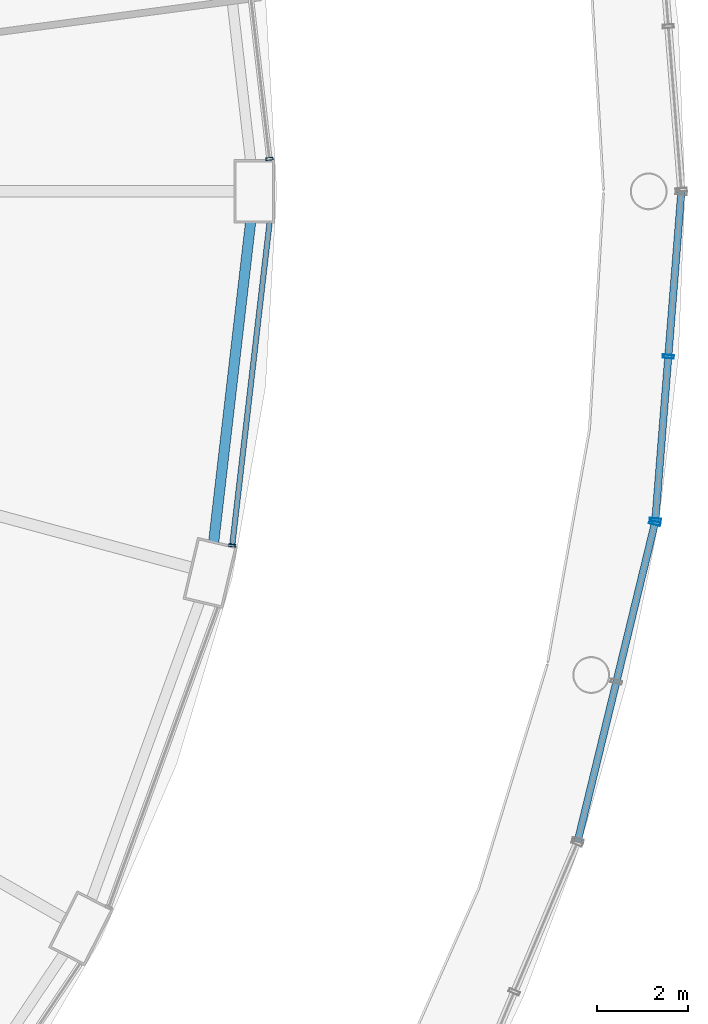
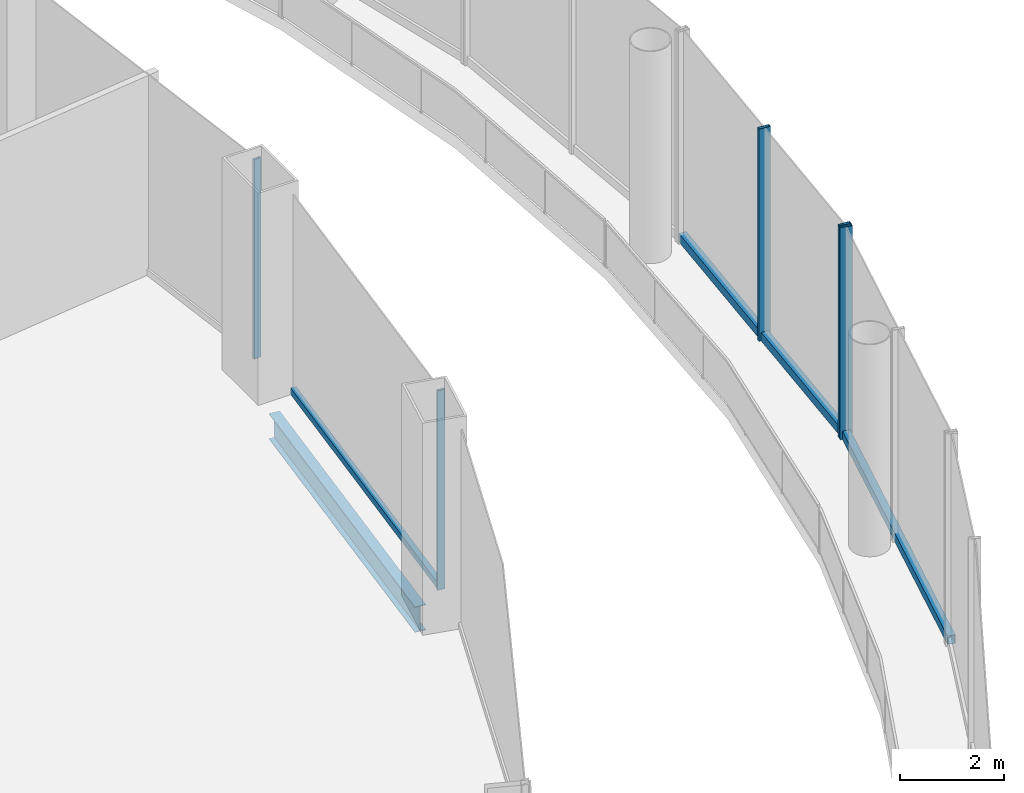
# One storey, part 25 of 47: 8 members, 1 beam, 4 elements without a shape of their own.
"""IFC4 building model written with IfcOpenShell, lengths in metres."""

from ifc_helpers import new_model, si_unit, direction, frame, origin, origin_2d, place, context, subcontext, project, spatial, hollow_rectangle, i_section, extrude, material, layer, layer_set, material_profile, profile_set, type_object, element, aggregate, save


model = new_model("IFC4")

# Units and contexts
model_context = context("Model", 3, precision=1e-05, world=origin(), true_north=direction((0.0, 1.0)))
body_context = subcontext(model_context, "Body", "Model", "MODEL_VIEW")
ifc_project = project(units=[si_unit("LENGTHUNIT", "METRE"), si_unit("AREAUNIT", "SQUARE_METRE"), si_unit("VOLUMEUNIT", "CUBIC_METRE"), si_unit("PLANEANGLEUNIT", "RADIAN"), si_unit("MASSUNIT", "GRAM", prefix="KILO")], contexts=[model_context])

# Site, building, storey
site_placement = place(None, origin())
site = spatial("IfcSite", under=ifc_project, at=site_placement, CompositionType="ELEMENT")
building_placement = place(site_placement, origin())
building = spatial("IfcBuilding", under=site, at=building_placement, Name="Nagisa Residences", CompositionType="ELEMENT")
storey_placement = place(building_placement, frame((0.0, 0.0, 7.0)))
storey = spatial("IfcBuildingStorey", under=building, at=storey_placement, Name="L01", CompositionType="ELEMENT", Elevation=7.0)

# Curtain wall, member
ifc_material_1 = material(Name="Stainless steel curtain wall system", Category="steel")
ifc_layer_1 = layer(ifc_material_1, 0.159912109375)
ifc_layer_set_1 = layer_set([ifc_layer_1], Name="CW3 CURTAIN WALL")
curtain_wall_type_1 = type_object("IfcCurtainWallType", Name="CW3 CURTAIN WALL", PredefinedType="NOTDEFINED", material=ifc_layer_set_1)
curtain_wall_1_placement = place(storey_placement, origin())
curtain_wall_1 = element("IfcCurtainWall", 1, at=curtain_wall_1_placement, inside=storey, type_object=curtain_wall_type_1, Name="cw:CW3:L01:34", PredefinedType="NOTDEFINED")
ifc_material_2 = material(Name="Stainless steel", Category="steel")
ifc_material_profile_1 = material_profile(ifc_material_2, hollow_rectangle(XDim=0.25, YDim=0.080078125, WallThickness=0.008056640625, at=origin_2d()), Name="CW3 MULLION 250x80")
ifc_profile_set_1 = profile_set([ifc_material_profile_1], Name="Stainless steel")
member_type_1 = type_object("IfcMemberType", Name="CW3 MULLION 250x80", PredefinedType="MULLION", material=ifc_profile_set_1)
member_1_placement = place(storey_placement, frame((40.935546875, -7.313232421875, 0.0), z_axis=(0.0, 0.0, 1.0), x_axis=(-0.971848775146, 0.235605514043, 0.0)))
member_1 = element("IfcMember", 2, at=member_1_placement, type_object=member_type_1, Name="CW3 mullion", PredefinedType="MULLION", context=body_context, shape_type="SweptSolid", body=[
    extrude(hollow_rectangle(XDim=0.25, YDim=0.080078125, WallThickness=0.008056640625, at=origin_2d()), origin(), (0.0, 0.0, 1.0), 5.0),
])

# Curtain wall, members
curtain_wall_2_placement = place(storey_placement, origin())
curtain_wall_2 = element("IfcCurtainWall", 3, at=curtain_wall_2_placement, inside=storey, type_object=curtain_wall_type_1, Name="cw:CW3:L01:35", PredefinedType="NOTDEFINED")
member_2_placement = place(storey_placement, frame((40.946044921875, -7.2470703125, 0.0), z_axis=(0.0, 0.0, 1.0), x_axis=(-0.996881777235, 0.078909582539, 0.0)))
member_2 = element("IfcMember", 4, at=member_2_placement, type_object=member_type_1, Name="CW3 mullion", PredefinedType="MULLION", context=body_context, shape_type="SweptSolid", body=[
    extrude(hollow_rectangle(XDim=0.25, YDim=0.080078125, WallThickness=0.008056640625, at=origin_2d()), origin(), (0.0, 0.0, 1.0), 5.0),
])
member_3_placement = place(storey_placement, frame((41.231689453125, -3.640380859375, 0.0), z_axis=(0.0, 0.0, 1.0), x_axis=(-0.996881777235, 0.078909582539, 0.0)))
member_3 = element("IfcMember", 5, at=member_3_placement, type_object=member_type_1, Name="CW3 mullion", PredefinedType="MULLION", context=body_context, shape_type="SweptSolid", body=[
    extrude(hollow_rectangle(XDim=0.25, YDim=0.080078125, WallThickness=0.008056640625, at=origin_2d()), origin(), (0.0, 0.0, 1.0), 5.0),
])

# Member
ifc_material_3 = material(Name="Stainless steel", Category="steel")
ifc_material_profile_2 = material_profile(ifc_material_3, hollow_rectangle(XDim=0.159912109375, YDim=0.199951171875, WallThickness=0.008056640625, at=origin_2d()), Name="CW3 TRANSOM 160x200")
ifc_profile_set_2 = profile_set([ifc_material_profile_2], Name="Stainless steel")
member_type_2 = type_object("IfcMemberType", Name="CW3 TRANSOM 160x200", PredefinedType="USERDEFINED", material=ifc_profile_set_2)
member_4_placement = place(storey_placement, frame((39.23046875, -14.345947265625, 0.10009765625), z_axis=(0.235637477095, 0.97184102578, 0.0), x_axis=(-0.97184102578, 0.235637477095, 0.0)))
member_4 = element("IfcMember", 6, at=member_4_placement, type_object=member_type_2, Name="CW3 transom", ObjectType="TRANSOM", PredefinedType="USERDEFINED", context=body_context, shape_type="SweptSolid", body=[
    extrude(hollow_rectangle(XDim=0.159912109375, YDim=0.199951171875, WallThickness=0.008056640625, at=origin_2d()), origin(), (0.0, 0.0, 1.0), 7.2763671875),
])

aggregate(curtain_wall_1, [member_1, member_4])

member_5_placement = place(storey_placement, frame((40.94287109375, -7.286865234375, 0.10009765625), z_axis=(0.078921540002, 0.996880830653, 0.0), x_axis=(-0.996880830653, 0.078921540002, 0.0)))
member_5 = element("IfcMember", 7, at=member_5_placement, type_object=member_type_2, Name="CW3 transom", ObjectType="TRANSOM", PredefinedType="USERDEFINED", context=body_context, shape_type="SweptSolid", body=[
    extrude(hollow_rectangle(XDim=0.159912109375, YDim=0.199951171875, WallThickness=0.008056640625, at=origin_2d()), origin(), (0.0, 0.0, 1.0), 7.31591796875),
])

aggregate(curtain_wall_2, [member_2, member_3, member_5])

# Curtain wall, member
ifc_material_4 = material(Name="Stainless steel curtain wall system", Category="steel")
ifc_layer_2 = layer(ifc_material_4, 0.159912109375)
ifc_layer_set_2 = layer_set([ifc_layer_2], Name="CW6 CURTAIN WALL")
curtain_wall_type_2 = type_object("IfcCurtainWallType", Name="CW6 CURTAIN WALL", PredefinedType="NOTDEFINED", material=ifc_layer_set_2)
curtain_wall_3_placement = place(storey_placement, origin())
curtain_wall_3 = element("IfcCurtainWall", 8, at=curtain_wall_3_placement, inside=storey, type_object=curtain_wall_type_2, Name="cw:CW6:L01:00", PredefinedType="NOTDEFINED")
ifc_material_5 = material(Name="Stainless steel", Category="steel")
ifc_material_profile_3 = material_profile(ifc_material_5, hollow_rectangle(XDim=0.159912109375, YDim=0.06005859375, WallThickness=0.006103515625, at=origin_2d()), Name="CW6 MULLION 160x60")
ifc_profile_set_3 = profile_set([ifc_material_profile_3], Name="Stainless steel")
member_type_3 = type_object("IfcMemberType", Name="CW6 MULLION 160x60", PredefinedType="MULLION", material=ifc_profile_set_3)
member_6_placement = place(storey_placement, frame((32.4365234375, 0.716064453125, 0.0), z_axis=(0.0, 0.0, 1.0), x_axis=(-0.993373823596, -0.114928006139, 0.0)))
member_6 = element("IfcMember", 9, at=member_6_placement, type_object=member_type_3, Name="CW6 mullion", PredefinedType="MULLION", context=body_context, shape_type="SweptSolid", body=[
    extrude(hollow_rectangle(XDim=0.159912109375, YDim=0.06005859375, WallThickness=0.006103515625, at=origin_2d()), origin(), (0.0, 0.0, 1.0), 4.699951171875),
])
aggregate(curtain_wall_3, [member_6])

# Curtain wall, members
curtain_wall_4_placement = place(storey_placement, origin())
curtain_wall_4 = element("IfcCurtainWall", 10, at=curtain_wall_4_placement, inside=storey, type_object=curtain_wall_type_2, Name="cw:CW6:L01:46", PredefinedType="NOTDEFINED")
member_7_placement = place(storey_placement, frame((31.6162109375, -7.806640625, 0.0), z_axis=(0.0, 0.0, 1.0), x_axis=(-0.993373823596, 0.114928006139, 0.0)))
member_7 = element("IfcMember", 11, at=member_7_placement, type_object=member_type_3, Name="CW6 mullion", PredefinedType="MULLION", context=body_context, shape_type="SweptSolid", body=[
    extrude(hollow_rectangle(XDim=0.159912109375, YDim=0.06005859375, WallThickness=0.006103515625, at=origin_2d()), origin(), (0.0, 0.0, 1.0), 4.699951171875),
])
ifc_material_6 = material(Name="Stainless steel", Category="steel")
ifc_material_profile_4 = material_profile(ifc_material_6, hollow_rectangle(XDim=0.1201171875, YDim=0.14990234375, WallThickness=0.008056640625, at=origin_2d()), Name="CW6 TRANSOM 120x150")
ifc_profile_set_4 = profile_set([ifc_material_profile_4], Name="Stainless steel")
member_type_4 = type_object("IfcMemberType", Name="CW6 TRANSOM 120x150", PredefinedType="USERDEFINED", material=ifc_profile_set_4)
member_8_placement = place(storey_placement, frame((31.61279296875, -7.83642578125, 0.074951171875), z_axis=(0.114949818518, 0.993371299778, 0.0), x_axis=(-0.993371299778, 0.114949818518, 0.0)))
member_8 = element("IfcMember", 12, at=member_8_placement, type_object=member_type_4, Name="CW6 transom", ObjectType="TRANSOM", PredefinedType="USERDEFINED", context=body_context, shape_type="SweptSolid", body=[
    extrude(hollow_rectangle(XDim=0.1201171875, YDim=0.14990234375, WallThickness=0.008056640625, at=origin_2d()), origin(), (0.0, 0.0, 1.0), 7.19775390625),
])
aggregate(curtain_wall_4, [member_7, member_8])

# Beam
ifc_material_7 = material(Name="Steel ASTM A572 Gr 50", Category="steel")
ifc_material_profile_5 = material_profile(ifc_material_7, i_section(OverallWidth=0.22802734375, OverallDepth=0.60302734375, WebThickness=0.010498046875, FlangeThickness=0.014892578125, at=origin_2d()), Name="W610x101")
ifc_profile_set_5 = profile_set([ifc_material_profile_5], Name="Steel ASTM A572 Gr 50")
beam_type = type_object("IfcBeamType", Name="Perimeter ring beam W610x101", PredefinedType="BEAM", material=ifc_profile_set_5)
beam_placement = place(storey_placement, frame((31.20751953125, -7.7314453125, -0.6015625), z_axis=(0.114673717321, 0.993403210462, 0.0), x_axis=(-0.993403210462, 0.114673717321, 0.0)))
element("IfcBeam", 13, at=beam_placement, inside=storey, type_object=beam_type, Name="beam:L01:pb24", PredefinedType="BEAM", context=body_context, shape_type="SweptSolid", body=[
    extrude(i_section(OverallWidth=0.22802734375, OverallDepth=0.60302734375, WebThickness=0.010498046875, FlangeThickness=0.014892578125, at=origin_2d()), origin(), (0.0, 0.0, 1.0), 7.09814453125),
])

save(model, "model.ifc")
